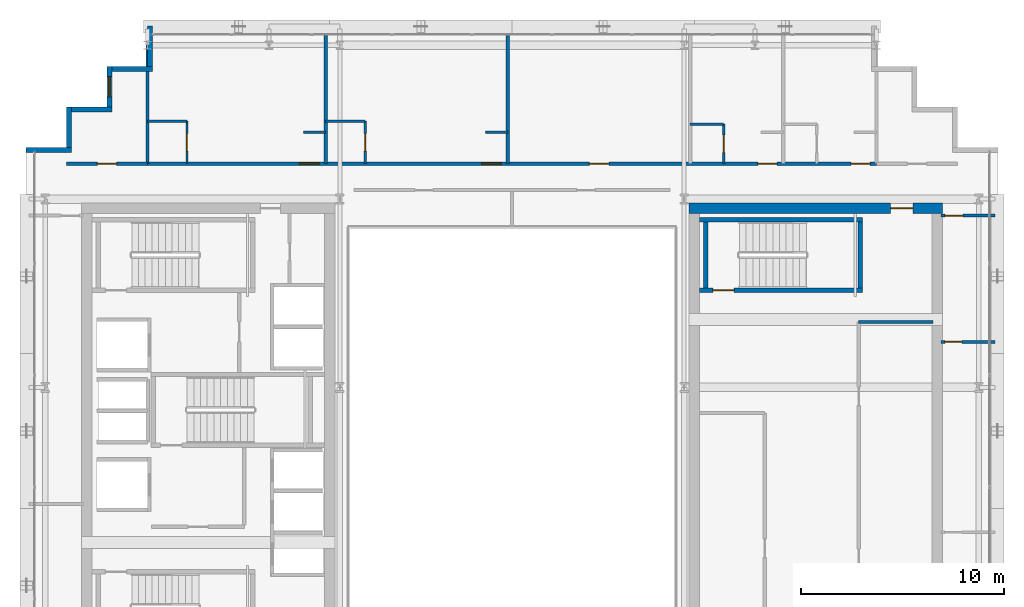
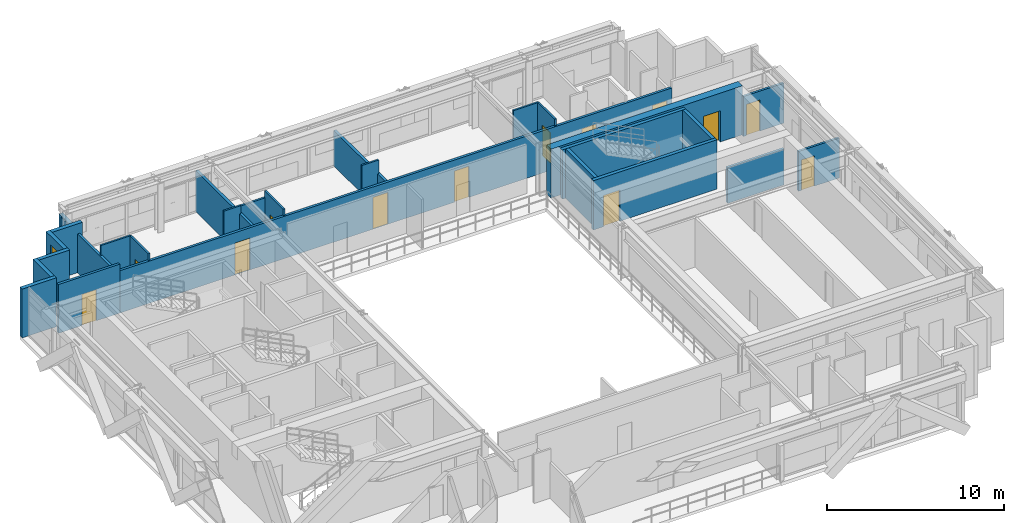
# One storey, part 26 of 31: 27 walls, 13 doors, 1 window, 14 openings.
"""IFC4 building model written with IfcOpenShell, lengths in metres."""

from ifc_helpers import new_model, si_unit, direction, frame, frame_2d, origin, place, context, subcontext, project, spatial, rectangle, extrude, source, transform, mapped, material, layer, layer_set, type_object, element, fill, save


model = new_model("IFC4")

# Units and contexts
model_context = context("Model", 3, precision=1e-05, world=origin(), true_north=direction((0.0, 1.0)))
body_context = subcontext(model_context, "Body", "Model", "MODEL_VIEW")
ifc_project = project(units=[si_unit("LENGTHUNIT", "METRE"), si_unit("AREAUNIT", "SQUARE_METRE"), si_unit("VOLUMEUNIT", "CUBIC_METRE"), si_unit("PLANEANGLEUNIT", "RADIAN"), si_unit("MASSUNIT", "GRAM", prefix="KILO")], contexts=[model_context])

# Site, building, storey
site_placement = place(None, origin())
site = spatial("IfcSite", under=ifc_project, at=site_placement, CompositionType="ELEMENT")
building_placement = place(site_placement, origin())
building = spatial("IfcBuilding", under=site, at=building_placement, Name="Ocotamira Hotel", CompositionType="ELEMENT")
storey_placement = place(building_placement, frame((0.0, 0.0, 181.199951171875)))
storey = spatial("IfcBuildingStorey", under=building, at=storey_placement, Name="L45", CompositionType="ELEMENT", Elevation=181.199951171875)

# Wall, opening, door
ifc_material_1 = material(Name="Concrete C50/60", Category="concrete")
ifc_layer_1 = layer(ifc_material_1, 0.5)
ifc_layer_set_1 = layer_set([ifc_layer_1], Name="Concrete C50/60")
wall_type_1 = type_object("IfcWallType", Name="WL-CORE-500", PredefinedType="SHEAR", material=ifc_layer_set_1)
wall_1_placement = place(storey_placement, frame((40.75, 37.0, 0.0), z_axis=(0.0, 0.0, 1.0), x_axis=(1.0, 0.0, 0.0)))
wall_1 = element("IfcWall", 1, at=wall_1_placement, inside=storey, type_object=wall_type_1, Name="L45 Shear Core Wall ECORE-N", PredefinedType="SHEAR", context=body_context, shape_type="SweptSolid", body=[
    extrude(rectangle(XDim=12.5, YDim=0.5, at=frame_2d((6.25, 0.0))), origin(), (0.0, 0.0, 1.0), 3.3701171875),
])
opening_1_placement = place(wall_1_placement, frame((9.949951171875, 0.0, 0.0)))
opening_1 = element("IfcOpeningElement", 2, at=opening_1_placement, cuts=wall_1, Name="Opening D-FR1", PredefinedType="OPENING", context=body_context, shape_type="SweptSolid", body=[
    extrude(rectangle(XDim=1.10009765625, YDim=2.14990234375, at=frame_2d((0.550048828125, 1.074951171875))), frame((0.0, 0.260009765625, 0.0), z_axis=(0.0, -1.0, 0.0), x_axis=(1.0, 0.0, 0.0)), (0.0, 0.0, 1.0), 0.52001953125),
])
ifc_material_2 = material(Name="Fire-rated acoustic timber-veneer door", Category="wood")
door_type_1 = type_object("IfcDoorType", Name="DR-FIRE-1100", OperationType="NOTDEFINED", PredefinedType="DOOR", material=ifc_material_2)
shared_shape_1 = source(origin(), body_context, "Body", "SweptSolid", [
    extrude(rectangle(XDim=1.10009765625, YDim=2.14990234375, at=frame_2d((0.550048828125, 1.074951171875))), frame((0.0, 0.02490234375, 0.0), z_axis=(0.0, -1.0, 0.0), x_axis=(1.0, 0.0, 0.0)), (0.0, 0.0, 1.0), 0.050048828125),
])
door_1_placement = place(opening_1_placement, origin())
door_1 = element("IfcDoor", 3, at=door_1_placement, inside=storey, type_object=door_type_1, Name="L45 Door ID-L45-ELOB-N-D [ID-L45-ELOB-N-D]", OperationType="SINGLE_SWING_LEFT", OverallHeight=2.14990234375, OverallWidth=1.10009765625, PredefinedType="DOOR", context=body_context, shape_type="MappedRepresentation", body=[
    mapped(shared_shape_1, transform((0.0, 0.0, 0.0), scale=1.0)),
])
fill(opening_1, door_1)

# Walls
ifc_material_3 = material(Name="Precast concrete C45/55", Category="concrete")
ifc_layer_2 = layer(ifc_material_3, 0.25)
ifc_layer_set_2 = layer_set([ifc_layer_2], Name="Precast concrete C45/55")
wall_type_2 = type_object("IfcWallType", Name="WL-EXT-SER-250", PredefinedType="SOLIDWALL", material=ifc_layer_set_2)
wall_2_placement = place(storey_placement, frame((14.125, 46.0, 0.0), z_axis=(0.0, 0.0, 1.0), x_axis=(0.0, -1.0, 0.0)))
element("IfcWall", 4, at=wall_2_placement, inside=storey, type_object=wall_type_2, Name="L45 Serrated Corner Wall 13", PredefinedType="SOLIDWALL", context=body_context, shape_type="SweptSolid", body=[
    extrude(rectangle(XDim=2.0, YDim=0.25, at=frame_2d((1.0, 0.0))), origin(), (0.0, 0.0, 1.0), 2.677001953125),
])
wall_3_placement = place(storey_placement, frame((14.25, 43.875, 0.0), z_axis=(0.0, 0.0, 1.0), x_axis=(-1.0, 0.0, 0.0)))
element("IfcWall", 5, at=wall_3_placement, inside=storey, type_object=wall_type_2, Name="L45 Serrated Corner Wall 14", PredefinedType="SOLIDWALL", context=body_context, shape_type="SweptSolid", body=[
    extrude(rectangle(XDim=2.0, YDim=0.25, at=frame_2d((1.0, 0.0))), origin(), (0.0, 0.0, 1.0), 3.3701171875),
])

# Wall, opening, window
wall_4_placement = place(storey_placement, frame((12.125, 44.0, 0.0), z_axis=(0.0, 0.0, 1.0), x_axis=(0.0, -1.0, 0.0)))
wall_4 = element("IfcWall", 6, at=wall_4_placement, inside=storey, type_object=wall_type_2, Name="L45 Serrated Corner Wall 15", PredefinedType="SOLIDWALL", context=body_context, shape_type="SweptSolid", body=[
    extrude(rectangle(XDim=2.0, YDim=0.25, at=frame_2d((1.0, 0.0))), origin(), (0.0, 0.0, 1.0), 3.3701171875),
])
opening_2_placement = place(wall_4_placement, frame((0.5, 0.0, 0.85009765625)))
opening_2 = element("IfcOpeningElement", 7, at=opening_2_placement, cuts=wall_4, Name="Opening WN-2", PredefinedType="OPENING", context=body_context, shape_type="SweptSolid", body=[
    extrude(rectangle(XDim=1.0, YDim=1.89990234375, at=frame_2d((0.5, 0.949951171875))), frame((0.0, 0.135009765625, 0.0), z_axis=(0.0, -1.0, 0.0), x_axis=(1.0, 0.0, 0.0)), (0.0, 0.0, 1.0), 0.27001953125),
])
ifc_material_4 = material(Name="Double-silver low-E solar glass", Category="glass")
window_type = type_object("IfcWindowType", Name="WIN-SER-1100", PartitioningType="SINGLE_PANEL", PredefinedType="WINDOW", material=ifc_material_4)
shared_shape_2 = source(origin(), body_context, "Body", "SweptSolid", [
    extrude(rectangle(XDim=1.0, YDim=1.89990234375, at=frame_2d((0.5, 0.949951171875))), frame((0.0, 0.030029296875, 0.0), z_axis=(0.0, -1.0, 0.0), x_axis=(1.0, 0.0, 0.0)), (0.0, 0.0, 1.0), 0.06005859375),
])
window_placement = place(opening_2_placement, origin())
window = element("IfcWindow", 8, at=window_placement, inside=storey, type_object=window_type, Name="L45 Serrated Corner Window 15", OverallHeight=1.89990234375, OverallWidth=1.0, PartitioningType="SINGLE_PANEL", PredefinedType="WINDOW", context=body_context, shape_type="MappedRepresentation", body=[
    mapped(shared_shape_2, transform((0.0, 0.0, 0.0), scale=1.0)),
])
fill(opening_2, window)

# Walls
for number, where, z_axis, x_axis, name in (
    (9, (12.25, 41.875, 0.0), (0.0, 0.0, 1.0), (-1.0, 0.0, 0.0), "L45 Serrated Corner Wall 16"),
    (10, (10.125, 42.0, 0.0), (0.0, 0.0, 1.0), (0.0, -1.0, 0.0), "L45 Serrated Corner Wall 17"),
):
    element("IfcWall", number, at=place(storey_placement, frame(where, z_axis=z_axis, x_axis=x_axis)), inside=storey, type_object=wall_type_2, Name=name, PredefinedType="SOLIDWALL", context=body_context, shape_type="SweptSolid", body=[
        extrude(rectangle(XDim=2.0, YDim=0.25, at=frame_2d((1.0, 0.0))), origin(), (0.0, 0.0, 1.0), 3.3701171875),
    ])
wall_5_placement = place(storey_placement, frame((10.25, 39.875, 0.0), z_axis=(0.0, 0.0, 1.0), x_axis=(-1.0, 0.0, 0.0)))
element("IfcWall", 11, at=wall_5_placement, inside=storey, type_object=wall_type_2, Name="L45 Serrated Corner Wall 18", PredefinedType="SOLIDWALL", context=body_context, shape_type="SweptSolid", body=[
    extrude(rectangle(XDim=2.25, YDim=0.25, at=frame_2d((1.125, 0.0))), origin(), (0.0, 0.0, 1.0), 3.3701171875),
])
ifc_material_5 = material(Name="Acoustic double-layer fire gypsum board partition", Category="gypsum")
ifc_layer_3 = layer(ifc_material_5, 0.159912109375)
ifc_layer_set_3 = layer_set([ifc_layer_3], Name="Acoustic double-layer fire gypsum board partition")
wall_type_3 = type_object("IfcWallType", Name="WL-FIRE-160", PredefinedType="PARTITIONING", material=ifc_layer_set_3)
wall_6_placement = place(storey_placement, frame((49.1201171875, 31.3798828125, 0.0), z_axis=(0.0, 0.0, 1.0), x_axis=(1.0, 0.0, 0.0)))
element("IfcWall", 12, at=wall_6_placement, inside=storey, type_object=wall_type_3, Name="L45 Interior Wall PW-L45-EC-FLOW-N", PredefinedType="PARTITIONING", context=body_context, shape_type="SweptSolid", body=[
    extrude(rectangle(XDim=3.679931640625, YDim=0.159912109375, at=frame_2d((1.83984375, 0.0))), origin(), (0.0, 0.0, 1.0), 2.469970703125),
])

# Wall, opening, door
wall_7_placement = place(storey_placement, frame((10.0, 39.199951171875, 0.0), z_axis=(0.0, 0.0, 1.0), x_axis=(1.0, 0.0, 0.0)))
wall_7 = element("IfcWall", 13, at=wall_7_placement, inside=storey, type_object=wall_type_3, Name="L45 Interior Wall PW-L45-Z3B-CNW-CW", PredefinedType="PARTITIONING", context=body_context, shape_type="SweptSolid", body=[
    extrude(rectangle(XDim=4.0, YDim=0.159912109375, at=frame_2d((2.0, 0.0))), origin(), (0.0, 0.0, 1.0), 3.3701171875),
])
opening_3_placement = place(wall_7_placement, frame((1.52001953125, 0.0, 0.0)))
opening_3 = element("IfcOpeningElement", 14, at=opening_3_placement, cuts=wall_7, Name="Opening D-SV4", PredefinedType="OPENING", context=body_context, shape_type="SweptSolid", body=[
    extrude(rectangle(XDim=0.9599609375, YDim=2.14990234375, at=frame_2d((0.47998046875, 1.074951171875))), frame((0.0, 0.08984375, 0.0), z_axis=(0.0, -1.0, 0.0), x_axis=(1.0, 0.0, 0.0)), (0.0, 0.0, 1.0), 0.179931640625),
])
ifc_material_6 = material(Name="Fire-rated accessible walnut salon door", Category="wood")
door_type_2 = type_object("IfcDoorType", Name="DR-SERV-960", OperationType="NOTDEFINED", PredefinedType="DOOR", material=ifc_material_6)
shared_shape_3 = source(origin(), body_context, "Body", "SweptSolid", [
    extrude(rectangle(XDim=0.9599609375, YDim=2.14990234375, at=frame_2d((0.47998046875, 1.074951171875))), frame((0.0, 0.02490234375, 0.0), z_axis=(0.0, -1.0, 0.0), x_axis=(1.0, 0.0, 0.0)), (0.0, 0.0, 1.0), 0.050048828125),
])
door_2_placement = place(opening_3_placement, origin())
door_2 = element("IfcDoor", 15, at=door_2_placement, inside=storey, type_object=door_type_2, Name="L45 Door ID-L45-Z3B-CNW-CD [ID-L45-Z3B-CNW-CD]", OperationType="SINGLE_SWING_LEFT", OverallHeight=2.14990234375, OverallWidth=0.9599609375, PredefinedType="DOOR", context=body_context, shape_type="MappedRepresentation", body=[
    mapped(shared_shape_3, transform((0.0, 0.0, 0.0), scale=1.0)),
])
fill(opening_3, door_2)

# Wall, openings, doors
wall_8_placement = place(storey_placement, frame((14.0, 39.199951171875, 0.0), z_axis=(0.0, 0.0, 1.0), x_axis=(1.0, 0.0, 0.0)))
wall_8 = element("IfcWall", 16, at=wall_8_placement, inside=storey, type_object=wall_type_3, Name="L45 Interior Wall PW-L45-Z3BN-CORRW", PredefinedType="PARTITIONING", context=body_context, shape_type="SweptSolid", body=[
    extrude(rectangle(XDim=36.0, YDim=0.159912109375, at=frame_2d((18.0, 0.0))), origin(), (0.0, 0.0, 1.0), 2.9130859375),
])
opening_4_placement = place(wall_8_placement, frame((7.5, 0.0, 0.0)))
opening_4 = element("IfcOpeningElement", 17, at=opening_4_placement, cuts=wall_8, Name="Opening D-GR2", PredefinedType="OPENING", context=body_context, shape_type="SweptSolid", body=[
    extrude(rectangle(XDim=0.97998046875, YDim=2.199951171875, at=frame_2d((0.489990234375, 1.10009765625))), frame((0.0, 0.08984375, 0.0), z_axis=(0.0, -1.0, 0.0), x_axis=(1.0, 0.0, 0.0)), (0.0, 0.0, 1.0), 0.179931640625),
])
opening_5_placement = place(wall_8_placement, frame((16.5, 0.0, 0.0)))
opening_5 = element("IfcOpeningElement", 18, at=opening_5_placement, cuts=wall_8, Name="Opening D-GR2", PredefinedType="OPENING", context=body_context, shape_type="SweptSolid", body=[
    extrude(rectangle(XDim=0.97998046875, YDim=2.199951171875, at=frame_2d((0.489990234375, 1.10009765625))), frame((0.0, 0.08984375, 0.0), z_axis=(0.0, -1.0, 0.0), x_axis=(1.0, 0.0, 0.0)), (0.0, 0.0, 1.0), 0.179931640625),
])
opening_6_placement = place(wall_8_placement, frame((21.820068359375, 0.0, 0.0)))
opening_6 = element("IfcOpeningElement", 19, at=opening_6_placement, cuts=wall_8, Name="Opening D-SV4", PredefinedType="OPENING", context=body_context, shape_type="SweptSolid", body=[
    extrude(rectangle(XDim=0.9599609375, YDim=2.14990234375, at=frame_2d((0.47998046875, 1.074951171875))), frame((0.0, 0.08984375, 0.0), z_axis=(0.0, -1.0, 0.0), x_axis=(1.0, 0.0, 0.0)), (0.0, 0.0, 1.0), 0.179931640625),
])
opening_7_placement = place(wall_8_placement, frame((30.139892578125, 0.0, 0.0)))
opening_7 = element("IfcOpeningElement", 20, at=opening_7_placement, cuts=wall_8, Name="Opening D-GR1", PredefinedType="OPENING", context=body_context, shape_type="SweptSolid", body=[
    extrude(rectangle(XDim=0.93994140625, YDim=2.14990234375, at=frame_2d((0.469970703125, 1.074951171875))), frame((0.0, 0.08984375, 0.0), z_axis=(0.0, -1.0, 0.0), x_axis=(1.0, 0.0, 0.0)), (0.0, 0.0, 1.0), 0.179931640625),
])
opening_8_placement = place(wall_8_placement, frame((34.739990234375, 0.0, 0.0)))
opening_8 = element("IfcOpeningElement", 21, at=opening_8_placement, cuts=wall_8, Name="Opening D-GR1", PredefinedType="OPENING", context=body_context, shape_type="SweptSolid", body=[
    extrude(rectangle(XDim=0.93994140625, YDim=2.14990234375, at=frame_2d((0.469970703125, 1.074951171875))), frame((0.0, 0.08984375, 0.0), z_axis=(0.0, -1.0, 0.0), x_axis=(1.0, 0.0, 0.0)), (0.0, 0.0, 1.0), 0.179931640625),
])
door_3_placement = place(opening_6_placement, origin())
door_3 = element("IfcDoor", 22, at=door_3_placement, inside=storey, type_object=door_type_2, Name="L45 Door ID-L45-Z3BN-AMD3 [ID-L45-Z3BN-AMD3]", OperationType="SINGLE_SWING_LEFT", OverallHeight=2.14990234375, OverallWidth=0.9599609375, PredefinedType="DOOR", context=body_context, shape_type="MappedRepresentation", body=[
    mapped(shared_shape_3, transform((0.0, 0.0, 0.0), scale=1.0)),
])
fill(opening_6, door_3)
ifc_material_7 = material(Name="Solid-core walnut suite entrance fire door", Category="wood")
door_type_3 = type_object("IfcDoorType", Name="DR-GUEST-940", OperationType="NOTDEFINED", PredefinedType="DOOR", material=ifc_material_7)
shared_shape_4 = source(origin(), body_context, "Body", "SweptSolid", [
    extrude(rectangle(XDim=0.93994140625, YDim=2.14990234375, at=frame_2d((0.469970703125, 1.074951171875))), frame((0.0, 0.02490234375, 0.0), z_axis=(0.0, -1.0, 0.0), x_axis=(1.0, 0.0, 0.0)), (0.0, 0.0, 1.0), 0.050048828125),
])
door_4_placement = place(opening_7_placement, origin())
door_4 = element("IfcDoor", 23, at=door_4_placement, inside=storey, type_object=door_type_3, Name="L45 Door ID-L45-Z3BN-RMD4 [ID-L45-Z3BN-RMD4]", OperationType="SINGLE_SWING_RIGHT", OverallHeight=2.14990234375, OverallWidth=0.93994140625, PredefinedType="DOOR", context=body_context, shape_type="MappedRepresentation", body=[
    mapped(shared_shape_4, transform((0.0, 0.0, 0.0), scale=1.0)),
])
fill(opening_7, door_4)
door_5_placement = place(opening_8_placement, origin())
door_5 = element("IfcDoor", 24, at=door_5_placement, inside=storey, type_object=door_type_3, Name="L45 Door ID-L45-Z3BN-RMD5 [ID-L45-Z3BN-RMD5]", OperationType="SINGLE_SWING_LEFT", OverallHeight=2.14990234375, OverallWidth=0.93994140625, PredefinedType="DOOR", context=body_context, shape_type="MappedRepresentation", body=[
    mapped(shared_shape_4, transform((0.0, 0.0, 0.0), scale=1.0)),
])
fill(opening_8, door_5)
ifc_material_8 = material(Name="Solid-core walnut grand-suite entrance fire door", Category="wood")
door_type_4 = type_object("IfcDoorType", Name="DR-GUEST-980", OperationType="NOTDEFINED", PredefinedType="DOOR", material=ifc_material_8)
shared_shape_5 = source(origin(), body_context, "Body", "SweptSolid", [
    extrude(rectangle(XDim=0.97998046875, YDim=2.199951171875, at=frame_2d((0.489990234375, 1.10009765625))), frame((0.0, 0.02490234375, 0.0), z_axis=(0.0, -1.0, 0.0), x_axis=(1.0, 0.0, 0.0)), (0.0, 0.0, 1.0), 0.050048828125),
])
door_6_placement = place(opening_4_placement, origin())
door_6 = element("IfcDoor", 25, at=door_6_placement, inside=storey, type_object=door_type_4, Name="L45 Door ID-L45-Z3BN-RMD1 [ID-L45-Z3BN-RMD1]", OperationType="SINGLE_SWING_LEFT", OverallHeight=2.199951171875, OverallWidth=0.97998046875, PredefinedType="DOOR", context=body_context, shape_type="MappedRepresentation", body=[
    mapped(shared_shape_5, transform((0.0, 0.0, 0.0), scale=1.0)),
])
fill(opening_4, door_6)
door_7_placement = place(opening_5_placement, origin())
door_7 = element("IfcDoor", 26, at=door_7_placement, inside=storey, type_object=door_type_4, Name="L45 Door ID-L45-Z3BN-RMD2 [ID-L45-Z3BN-RMD2]", OperationType="SINGLE_SWING_RIGHT", OverallHeight=2.199951171875, OverallWidth=0.97998046875, PredefinedType="DOOR", context=body_context, shape_type="MappedRepresentation", body=[
    mapped(shared_shape_5, transform((0.0, 0.0, 0.0), scale=1.0)),
])
fill(opening_5, door_7)

# Wall, opening, door
ifc_material_9 = material(Name="Moisture-resistant en-suite tile and gypsum partition", Category="gypsum")
ifc_layer_4 = layer(ifc_material_9, 0.1201171875)
ifc_layer_set_4 = layer_set([ifc_layer_4], Name="Moisture-resistant en-suite tile and gypsum partition")
wall_type_4 = type_object("IfcWallType", Name="WL-PART-120", PredefinedType="PARTITIONING", material=ifc_layer_set_4)
wall_9_placement = place(storey_placement, frame((15.949951171875, 39.199951171875, 0.0), z_axis=(0.0, 0.0, 1.0), x_axis=(0.0, 1.0, 0.0)))
wall_9 = element("IfcWall", 27, at=wall_9_placement, inside=storey, type_object=wall_type_4, Name="L45 Interior Wall PW-L45-Z3BN-BAE1", PredefinedType="PARTITIONING", context=body_context, shape_type="SweptSolid", body=[
    extrude(rectangle(XDim=2.10009765625, YDim=0.1201171875, at=frame_2d((1.050048828125, 0.0))), origin(), (0.0, 0.0, 1.0), 3.3701171875),
])
opening_9_placement = place(wall_9_placement, frame((0.6201171875, 0.0, 0.0)))
opening_9 = element("IfcOpeningElement", 28, at=opening_9_placement, cuts=wall_9, Name="Opening D-BA1", PredefinedType="OPENING", context=body_context, shape_type="SweptSolid", body=[
    extrude(rectangle(XDim=0.860107421875, YDim=2.10009765625, at=frame_2d((0.43017578125, 1.050048828125))), frame((0.0, 0.070068359375, 0.0), z_axis=(0.0, -1.0, 0.0), x_axis=(1.0, 0.0, 0.0)), (0.0, 0.0, 1.0), 0.14013671875),
])
ifc_material_10 = material(Name="Moisture-sealed en-suite timber door", Category="wood")
door_type_5 = type_object("IfcDoorType", Name="DR-BATH-860", OperationType="NOTDEFINED", PredefinedType="DOOR", material=ifc_material_10)
shared_shape_6 = source(origin(), body_context, "Body", "SweptSolid", [
    extrude(rectangle(XDim=0.860107421875, YDim=2.10009765625, at=frame_2d((0.43017578125, 1.050048828125))), frame((0.0, 0.02490234375, 0.0), z_axis=(0.0, -1.0, 0.0), x_axis=(1.0, 0.0, 0.0)), (0.0, 0.0, 1.0), 0.050048828125),
])
door_8_placement = place(opening_9_placement, origin())
door_8 = element("IfcDoor", 29, at=door_8_placement, inside=storey, type_object=door_type_5, Name="L45 Door ID-L45-Z3BN-BAD1 [ID-L45-Z3BN-BAD1]", OperationType="SINGLE_SWING_RIGHT", OverallHeight=2.10009765625, OverallWidth=0.860107421875, PredefinedType="DOOR", context=body_context, shape_type="MappedRepresentation", body=[
    mapped(shared_shape_6, transform((0.0, 0.0, 0.0), scale=1.0)),
])
fill(opening_9, door_8)

# Walls
wall_10_placement = place(storey_placement, frame((14.0, 41.300048828125, 0.0), z_axis=(0.0, 0.0, 1.0), x_axis=(1.0, 0.0, 0.0)))
element("IfcWall", 30, at=wall_10_placement, inside=storey, type_object=wall_type_4, Name="L45 Interior Wall PW-L45-Z3BN-BAN1", PredefinedType="PARTITIONING", context=body_context, shape_type="SweptSolid", body=[
    extrude(rectangle(XDim=1.949951171875, YDim=0.1201171875, at=frame_2d((0.97509765625, 0.0))), origin(), (0.0, 0.0, 1.0), 3.3701171875),
])
wall_11_placement = place(storey_placement, frame((21.699951171875, 40.75, 0.0), z_axis=(0.0, 0.0, 1.0), x_axis=(1.0, 0.0, 0.0)))
element("IfcWall", 31, at=wall_11_placement, inside=storey, type_object=wall_type_4, Name="L45 Interior Wall PW-L45-Z3BN-DRN1", PredefinedType="PARTITIONING", context=body_context, shape_type="SweptSolid", body=[
    extrude(rectangle(XDim=1.10009765625, YDim=0.1201171875, at=frame_2d((0.550048828125, 0.0))), origin(), (0.0, 0.0, 1.0), 3.3701171875),
])

# Wall, opening, door
wall_12_placement = place(storey_placement, frame((24.75, 39.199951171875, 0.0), z_axis=(0.0, 0.0, 1.0), x_axis=(0.0, 1.0, 0.0)))
wall_12 = element("IfcWall", 32, at=wall_12_placement, inside=storey, type_object=wall_type_4, Name="L45 Interior Wall PW-L45-Z3BN-BAE2", PredefinedType="PARTITIONING", context=body_context, shape_type="SweptSolid", body=[
    extrude(rectangle(XDim=2.10009765625, YDim=0.1201171875, at=frame_2d((1.050048828125, 0.0))), origin(), (0.0, 0.0, 1.0), 3.3701171875),
])
opening_10_placement = place(wall_12_placement, frame((0.6201171875, 0.0, 0.0)))
opening_10 = element("IfcOpeningElement", 33, at=opening_10_placement, cuts=wall_12, Name="Opening D-BA1", PredefinedType="OPENING", context=body_context, shape_type="SweptSolid", body=[
    extrude(rectangle(XDim=0.860107421875, YDim=2.10009765625, at=frame_2d((0.43017578125, 1.050048828125))), frame((0.0, 0.070068359375, 0.0), z_axis=(0.0, -1.0, 0.0), x_axis=(1.0, 0.0, 0.0)), (0.0, 0.0, 1.0), 0.14013671875),
])
door_9_placement = place(opening_10_placement, origin())
door_9 = element("IfcDoor", 34, at=door_9_placement, inside=storey, type_object=door_type_5, Name="L45 Door ID-L45-Z3BN-BAD2 [ID-L45-Z3BN-BAD2]", OperationType="SINGLE_SWING_LEFT", OverallHeight=2.10009765625, OverallWidth=0.860107421875, PredefinedType="DOOR", context=body_context, shape_type="MappedRepresentation", body=[
    mapped(shared_shape_6, transform((0.0, 0.0, 0.0), scale=1.0)),
])
fill(opening_10, door_9)

# Walls
wall_13_placement = place(storey_placement, frame((22.800048828125, 41.300048828125, 0.0), z_axis=(0.0, 0.0, 1.0), x_axis=(1.0, 0.0, 0.0)))
element("IfcWall", 35, at=wall_13_placement, inside=storey, type_object=wall_type_4, Name="L45 Interior Wall PW-L45-Z3BN-BAN2", PredefinedType="PARTITIONING", context=body_context, shape_type="SweptSolid", body=[
    extrude(rectangle(XDim=1.949951171875, YDim=0.1201171875, at=frame_2d((0.97509765625, 0.0))), origin(), (0.0, 0.0, 1.0), 2.9130859375),
])
wall_14_placement = place(storey_placement, frame((30.699951171875, 40.75, 0.0), z_axis=(0.0, 0.0, 1.0), x_axis=(1.0, 0.0, 0.0)))
element("IfcWall", 36, at=wall_14_placement, inside=storey, type_object=wall_type_4, Name="L45 Interior Wall PW-L45-Z3BN-DRN2", PredefinedType="PARTITIONING", context=body_context, shape_type="SweptSolid", body=[
    extrude(rectangle(XDim=1.10009765625, YDim=0.1201171875, at=frame_2d((0.550048828125, 0.0))), origin(), (0.0, 0.0, 1.0), 3.3701171875),
])

# Wall, opening, door
wall_15_placement = place(storey_placement, frame((42.449951171875, 39.199951171875, 0.0), z_axis=(0.0, 0.0, 1.0), x_axis=(0.0, 1.0, 0.0)))
wall_15 = element("IfcWall", 37, at=wall_15_placement, inside=storey, type_object=wall_type_4, Name="L45 Interior Wall PW-L45-Z3BN-BAE4", PredefinedType="PARTITIONING", context=body_context, shape_type="SweptSolid", body=[
    extrude(rectangle(XDim=1.949951171875, YDim=0.1201171875, at=frame_2d((0.97509765625, 0.0))), origin(), (0.0, 0.0, 1.0), 3.3701171875),
])
opening_11_placement = place(wall_15_placement, frame((0.544921875, 0.0, 0.0)))
opening_11 = element("IfcOpeningElement", 38, at=opening_11_placement, cuts=wall_15, Name="Opening D-BA1", PredefinedType="OPENING", context=body_context, shape_type="SweptSolid", body=[
    extrude(rectangle(XDim=0.860107421875, YDim=2.10009765625, at=frame_2d((0.43017578125, 1.050048828125))), frame((0.0, 0.070068359375, 0.0), z_axis=(0.0, -1.0, 0.0), x_axis=(1.0, 0.0, 0.0)), (0.0, 0.0, 1.0), 0.14013671875),
])
door_10_placement = place(opening_11_placement, origin())
door_10 = element("IfcDoor", 39, at=door_10_placement, inside=storey, type_object=door_type_5, Name="L45 Door ID-L45-Z3BN-BAD4 [ID-L45-Z3BN-BAD4]", OperationType="SINGLE_SWING_LEFT", OverallHeight=2.10009765625, OverallWidth=0.860107421875, PredefinedType="DOOR", context=body_context, shape_type="MappedRepresentation", body=[
    mapped(shared_shape_6, transform((0.0, 0.0, 0.0), scale=1.0)),
])
fill(opening_11, door_10)

# Wall
wall_16_placement = place(storey_placement, frame((40.800048828125, 41.14990234375, 0.0), z_axis=(0.0, 0.0, 1.0), x_axis=(1.0, 0.0, 0.0)))
element("IfcWall", 40, at=wall_16_placement, inside=storey, type_object=wall_type_4, Name="L45 Interior Wall PW-L45-Z3BN-BAN4", PredefinedType="PARTITIONING", context=body_context, shape_type="SweptSolid", body=[
    extrude(rectangle(XDim=1.64990234375, YDim=0.1201171875, at=frame_2d((0.824951171875, 0.0))), origin(), (0.0, 0.0, 1.0), 3.3701171875),
])

# Wall, opening, door
ifc_material_11 = material(Name="Acoustic hospitality gypsum board partition", Category="gypsum")
ifc_layer_5 = layer(ifc_material_11, 0.14208984375)
ifc_layer_set_5 = layer_set([ifc_layer_5], Name="Acoustic hospitality gypsum board partition")
wall_type_5 = type_object("IfcWallType", Name="WL-PART-142", PredefinedType="PARTITIONING", material=ifc_layer_set_5)
wall_17_placement = place(storey_placement, frame((53.179931640625, 30.39990234375, 0.0), z_axis=(0.0, 0.0, 1.0), x_axis=(1.0, 0.0, 0.0)))
wall_17 = element("IfcWall", 41, at=wall_17_placement, inside=storey, type_object=wall_type_5, Name="L45 Interior Wall PW-L45-Z3B-EF-DV2", PredefinedType="PARTITIONING", context=body_context, shape_type="SweptSolid", body=[
    extrude(rectangle(XDim=2.66015625, YDim=0.14208984375, at=frame_2d((1.330078125, 0.0))), origin(), (0.0, 0.0, 1.0), 2.7529296875),
])
opening_12_placement = place(wall_17_placement, frame((0.199951171875, 0.0, 0.0)))
opening_12 = element("IfcOpeningElement", 42, at=opening_12_placement, cuts=wall_17, Name="Opening D-SV1", PredefinedType="OPENING", context=body_context, shape_type="SweptSolid", body=[
    extrude(rectangle(XDim=0.840087890625, YDim=2.10009765625, at=frame_2d((0.419921875, 1.050048828125))), frame((0.0, 0.0810546875, 0.0), z_axis=(0.0, -1.0, 0.0), x_axis=(1.0, 0.0, 0.0)), (0.0, 0.0, 1.0), 0.162109375),
])
ifc_material_12 = material(Name="Fire-rated painted steel service door", Category="steel")
door_type_6 = type_object("IfcDoorType", Name="DR-SERV-840", OperationType="NOTDEFINED", PredefinedType="DOOR", material=ifc_material_12)
shared_shape_7 = source(origin(), body_context, "Body", "SweptSolid", [
    extrude(rectangle(XDim=0.840087890625, YDim=2.10009765625, at=frame_2d((0.419921875, 1.050048828125))), frame((0.0, 0.02490234375, 0.0), z_axis=(0.0, -1.0, 0.0), x_axis=(1.0, 0.0, 0.0)), (0.0, 0.0, 1.0), 0.050048828125),
])
door_11_placement = place(opening_12_placement, origin())
door_11 = element("IfcDoor", 43, at=door_11_placement, inside=storey, type_object=door_type_6, Name="L45 Door ID-L45-Z3B-EF-DV2D [ID-L45-Z3B-EF-DV2D]", OperationType="SINGLE_SWING_RIGHT", OverallHeight=2.10009765625, OverallWidth=0.840087890625, PredefinedType="DOOR", context=body_context, shape_type="MappedRepresentation", body=[
    mapped(shared_shape_7, transform((0.0, 0.0, 0.0), scale=1.0)),
])
fill(opening_12, door_11)

ifc_layer_6 = layer(ifc_material_11, 0.14990234375)
ifc_layer_set_6 = layer_set([ifc_layer_6], Name="Acoustic hospitality gypsum board partition")
wall_type_6 = type_object("IfcWallType", Name="WL-PART-150", PredefinedType="PARTITIONING", material=ifc_layer_set_6)
wall_18_placement = place(storey_placement, frame((53.179931640625, 36.639892578125, 0.0), z_axis=(0.0, 0.0, 1.0), x_axis=(1.0, 0.0, 0.0)))
wall_18 = element("IfcWall", 44, at=wall_18_placement, inside=storey, type_object=wall_type_6, Name="L45 Interior Wall PW-L45-Z3B-EF-WN", PredefinedType="PARTITIONING", context=body_context, shape_type="SweptSolid", body=[
    extrude(rectangle(XDim=2.66015625, YDim=0.14990234375, at=frame_2d((1.330078125, 0.0))), origin(), (0.0, 0.0, 1.0), 2.7529296875),
])
opening_13_placement = place(wall_18_placement, frame((0.199951171875, 0.0, 0.0)))
opening_13 = element("IfcOpeningElement", 45, at=opening_13_placement, cuts=wall_18, Name="Opening D-SV2", PredefinedType="OPENING", context=body_context, shape_type="SweptSolid", body=[
    extrude(rectangle(XDim=0.8798828125, YDim=2.14990234375, at=frame_2d((0.43994140625, 1.074951171875))), frame((0.0, 0.0849609375, 0.0), z_axis=(0.0, -1.0, 0.0), x_axis=(1.0, 0.0, 0.0)), (0.0, 0.0, 1.0), 0.169921875),
])
door_type_7 = type_object("IfcDoorType", Name="DR-SERV-880", OperationType="NOTDEFINED", PredefinedType="DOOR", material=ifc_material_12)
shared_shape_8 = source(origin(), body_context, "Body", "SweptSolid", [
    extrude(rectangle(XDim=0.8798828125, YDim=2.14990234375, at=frame_2d((0.43994140625, 1.074951171875))), frame((0.0, 0.02490234375, 0.0), z_axis=(0.0, -1.0, 0.0), x_axis=(1.0, 0.0, 0.0)), (0.0, 0.0, 1.0), 0.050048828125),
])
door_12_placement = place(opening_13_placement, origin())
door_12 = element("IfcDoor", 46, at=door_12_placement, inside=storey, type_object=door_type_7, Name="L45 Door ID-L45-Z3B-EF-DN [ID-L45-Z3B-EF-DN]", OperationType="SINGLE_SWING_LEFT", OverallHeight=2.14990234375, OverallWidth=0.8798828125, PredefinedType="DOOR", context=body_context, shape_type="MappedRepresentation", body=[
    mapped(shared_shape_8, transform((0.0, 0.0, 0.0), scale=1.0)),
])
fill(opening_13, door_12)

# Walls
ifc_material_13 = material(Name="Acoustic double-stud hospitality gypsum partition", Category="gypsum")
ifc_layer_7 = layer(ifc_material_13, 0.159912109375)
ifc_layer_set_7 = layer_set([ifc_layer_7], Name="Acoustic double-stud hospitality gypsum partition")
wall_type_7 = type_object("IfcWallType", Name="WL-PART-160", PredefinedType="PARTITIONING", material=ifc_layer_set_7)
wall_19_placement = place(storey_placement, frame((14.0, 39.199951171875, 0.0), z_axis=(0.0, 0.0, 1.0), x_axis=(0.0, 1.0, 0.0)))
element("IfcWall", 47, at=wall_19_placement, inside=storey, type_object=wall_type_7, Name="L45 Interior Wall PW-L45-Z3BN-PW0", PredefinedType="PARTITIONING", context=body_context, shape_type="SweptSolid", body=[
    extrude(rectangle(XDim=6.43994140625, YDim=0.159912109375, at=frame_2d((3.219970703125, 0.0))), origin(), (0.0, 0.0, 1.0), 2.677001953125),
])
ifc_material_14 = material(Name="Double-stud suite party gypsum partition", Category="gypsum")
ifc_layer_8 = layer(ifc_material_14, 0.175048828125)
ifc_layer_set_8 = layer_set([ifc_layer_8], Name="Double-stud suite party gypsum partition")
wall_type_8 = type_object("IfcWallType", Name="WL-PART-175", PredefinedType="PARTITIONING", material=ifc_layer_set_8)
wall_20_placement = place(storey_placement, frame((22.800048828125, 39.199951171875, 0.0), z_axis=(0.0, 0.0, 1.0), x_axis=(0.0, 1.0, 0.0)))
element("IfcWall", 48, at=wall_20_placement, inside=storey, type_object=wall_type_8, Name="L45 Interior Wall PW-L45-Z3BN-PW1", PredefinedType="PARTITIONING", context=body_context, shape_type="SweptSolid", body=[
    extrude(rectangle(XDim=6.43994140625, YDim=0.175048828125, at=frame_2d((3.219970703125, 0.0))), origin(), (0.0, 0.0, 1.0), 2.8330078125),
])
wall_21_placement = place(storey_placement, frame((31.800048828125, 39.199951171875, 0.0), z_axis=(0.0, 0.0, 1.0), x_axis=(0.0, 1.0, 0.0)))
element("IfcWall", 49, at=wall_21_placement, inside=storey, type_object=wall_type_8, Name="L45 Interior Wall PW-L45-Z3BN-PW2", PredefinedType="PARTITIONING", context=body_context, shape_type="SweptSolid", body=[
    extrude(rectangle(XDim=6.43994140625, YDim=0.175048828125, at=frame_2d((3.219970703125, 0.0))), origin(), (0.0, 0.0, 1.0), 2.443115234375),
])

# Wall, opening, door
ifc_layer_9 = layer(ifc_material_1, 0.219970703125)
ifc_layer_set_9 = layer_set([ifc_layer_9], Name="Concrete C50/60")
wall_type_9 = type_object("IfcWallType", Name="WL-STAIR-220", PredefinedType="SHEAR", material=ifc_layer_set_9)
wall_22_placement = place(storey_placement, frame((41.25, 32.93994140625, 0.0), z_axis=(0.0, 0.0, 1.0), x_axis=(1.0, 0.0, 0.0)))
wall_22 = element("IfcWall", 50, at=wall_22_placement, inside=storey, type_object=wall_type_9, Name="L45 Stair Shaft Structural Wall ST-4-S", PredefinedType="SHEAR", context=body_context, shape_type="SweptSolid", body=[
    extrude(rectangle(XDim=8.06005859375, YDim=0.219970703125, at=frame_2d((4.030029296875, 0.0))), origin(), (0.0, 0.0, 1.0), 3.400146484375),
])
opening_14_placement = place(wall_22_placement, frame((0.669921875, 0.0, 0.0)))
opening_14 = element("IfcOpeningElement", 51, at=opening_14_placement, cuts=wall_22, Name="Opening D-ST2", PredefinedType="OPENING", context=body_context, shape_type="SweptSolid", body=[
    extrude(rectangle(XDim=1.050048828125, YDim=2.14990234375, at=frame_2d((0.52490234375, 1.074951171875))), frame((0.0, 0.1201171875, 0.0), z_axis=(0.0, -1.0, 0.0), x_axis=(1.0, 0.0, 0.0)), (0.0, 0.0, 1.0), 0.239990234375),
])
ifc_material_15 = material(Name="Insulated painted hollow-metal fire exit door", Category="steel")
door_type_8 = type_object("IfcDoorType", Name="DR-STAIR-1050", OperationType="NOTDEFINED", PredefinedType="DOOR", material=ifc_material_15)
shared_shape_9 = source(origin(), body_context, "Body", "SweptSolid", [
    extrude(rectangle(XDim=1.050048828125, YDim=2.14990234375, at=frame_2d((0.52490234375, 1.074951171875))), frame((0.0, 0.02490234375, 0.0), z_axis=(0.0, -1.0, 0.0), x_axis=(1.0, 0.0, 0.0)), (0.0, 0.0, 1.0), 0.050048828125),
])
door_13_placement = place(opening_14_placement, origin())
door_13 = element("IfcDoor", 52, at=door_13_placement, inside=storey, type_object=door_type_8, Name="L45 Door ID-L45-STD-ST-4 [ID-L45-STD-ST-4]", OperationType="SINGLE_SWING_LEFT", OverallHeight=2.14990234375, OverallWidth=1.050048828125, PredefinedType="DOOR", context=body_context, shape_type="MappedRepresentation", body=[
    mapped(shared_shape_9, transform((0.0, 0.0, 0.0), scale=1.0)),
])
fill(opening_14, door_13)

# Walls
wall_23_placement = place(storey_placement, frame((41.25, 36.43994140625, 0.0), z_axis=(0.0, 0.0, 1.0), x_axis=(1.0, 0.0, 0.0)))
element("IfcWall", 53, at=wall_23_placement, inside=storey, type_object=wall_type_9, Name="L45 Stair Shaft Structural Wall ST-4-N", PredefinedType="SHEAR", context=body_context, shape_type="SweptSolid", body=[
    extrude(rectangle(XDim=8.06005859375, YDim=0.219970703125, at=frame_2d((4.030029296875, 0.0))), origin(), (0.0, 0.0, 1.0), 3.400146484375),
])
for number, where, z_axis, x_axis, name in (
    (54, (41.56005859375, 33.050048828125, 0.0), (0.0, 0.0, 1.0), (0.0, 1.0, 0.0), "L45 Stair Shaft Structural Wall ST-4-W"),
    (55, (49.199951171875, 33.050048828125, 0.0), (0.0, 0.0, 1.0), (0.0, 1.0, 0.0), "L45 Stair Shaft Structural Wall ST-4-E"),
):
    element("IfcWall", number, at=place(storey_placement, frame(where, z_axis=z_axis, x_axis=x_axis)), inside=storey, type_object=wall_type_9, Name=name, PredefinedType="SHEAR", context=body_context, shape_type="SweptSolid", body=[
        extrude(rectangle(XDim=3.280029296875, YDim=0.219970703125, at=frame_2d((1.64013671875, 0.0))), origin(), (0.0, 0.0, 1.0), 3.400146484375),
    ])

save(model, "model.ifc")
